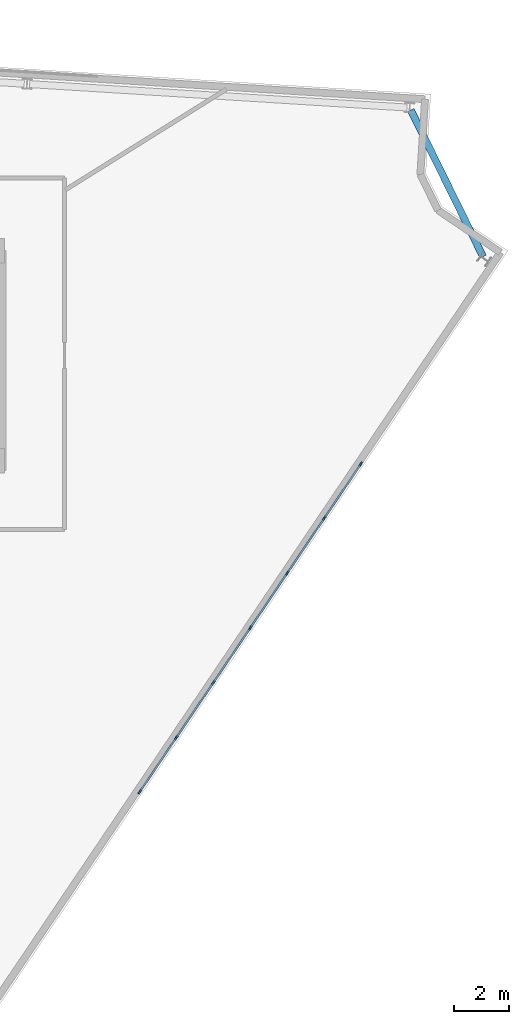
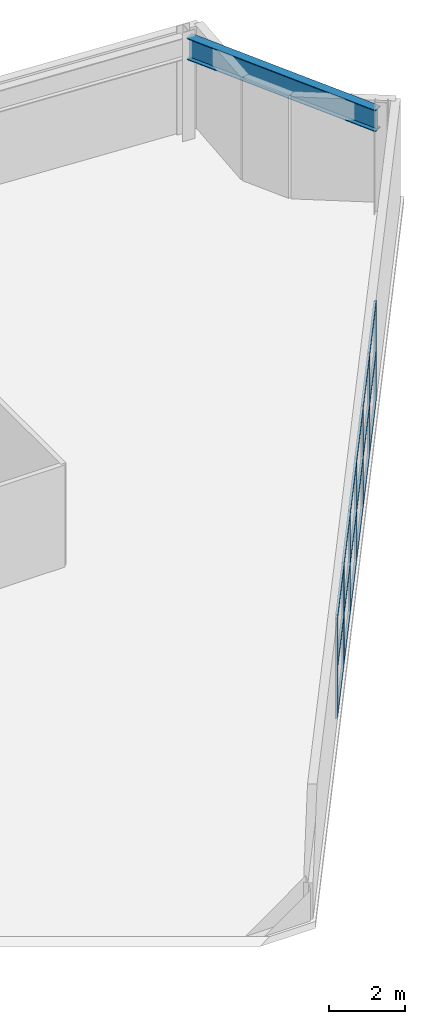
# One storey, part 4 of 8: 25 members, 1 beam, 1 element without a shape of its own.
"""IFC4 building model written with IfcOpenShell, lengths in metres."""

from ifc_helpers import new_model, si_unit, direction, frame, origin, origin_2d, place, context, subcontext, project, spatial, rectangle, i_section, extrude, material, layer, layer_set, material_profile, profile_set, type_object, element, aggregate, save


model = new_model("IFC4")

# Units and contexts
model_context = context("Model", 3, precision=1e-05, world=origin(), true_north=direction((0.0, 1.0)))
body_context = subcontext(model_context, "Body", "Model", "MODEL_VIEW")
ifc_project = project(units=[si_unit("LENGTHUNIT", "METRE"), si_unit("AREAUNIT", "SQUARE_METRE"), si_unit("VOLUMEUNIT", "CUBIC_METRE"), si_unit("PLANEANGLEUNIT", "RADIAN"), si_unit("MASSUNIT", "GRAM", prefix="KILO")], contexts=[model_context])

# Site, building, storey
site_placement = place(None, origin())
site = spatial("IfcSite", under=ifc_project, at=site_placement, CompositionType="ELEMENT")
building_placement = place(site_placement, origin())
building = spatial("IfcBuilding", under=site, at=building_placement, Name="Apsidion Concourse Tower", CompositionType="ELEMENT")
storey_placement = place(building_placement, frame((0.0, 0.0, 336.0)))
storey = spatial("IfcBuildingStorey", under=building, at=storey_placement, Name="L79", CompositionType="ELEMENT", Elevation=336.0)

# Beam
ifc_material_1 = material(Name="Structural steel ASTM A992 Grade 50", Category="steel")
ifc_material_profile_1 = material_profile(ifc_material_1, i_section(OverallWidth=0.256103515625, OverallDepth=0.693115234375, WebThickness=0.014404296875, FlangeThickness=0.023681640625, at=origin_2d()), Name="W27X114")
ifc_profile_set_1 = profile_set([ifc_material_profile_1], Name="Structural steel ASTM A992 Grade 50")
beam_type = type_object("IfcBeamType", Name="BM-SP-W27", PredefinedType="SPANDREL", material=ifc_profile_set_1)
beam_placement = place(storey_placement, frame((25.164794921875, 8.922119140625, 2.93359375), z_axis=(-0.441884134894, 0.897072132734, 0.0), x_axis=(-0.897072132734, -0.441884134894, 0.0)))
element("IfcBeam", 1, at=beam_placement, inside=storey, type_object=beam_type, Name="L79 Crown Perimeter Spandrel Beam CSP-02", PredefinedType="SPANDREL", context=body_context, shape_type="SweptSolid", body=[
    extrude(i_section(OverallWidth=0.256103515625, OverallDepth=0.693115234375, WebThickness=0.014404296875, FlangeThickness=0.023681640625, at=origin_2d()), origin(), (0.0, 0.0, 1.0), 5.982421875),
])

# Curtain wall, members
ifc_material_2 = material(Name="Insulated laminated low-E glass", Category="glass")
ifc_layer = layer(ifc_material_2, 0.239990234375)
ifc_layer_set = layer_set([ifc_layer], Name="Insulated laminated low-E glass")
curtain_wall_type = type_object("IfcCurtainWallType", Name="CW-SYS-06", PredefinedType="NOTDEFINED", material=ifc_layer_set)
curtain_wall_placement = place(storey_placement, origin())
curtain_wall = element("IfcCurtainWall", 2, at=curtain_wall_placement, inside=storey, type_object=curtain_wall_type, Name="L79 Slanted Crown Curtain Wall 8", PredefinedType="NOTDEFINED")
ifc_material_3 = material(Name="Anodised aluminium EN AW-6063 T6", Category="aluminium")
ifc_material_profile_2 = material_profile(ifc_material_3, rectangle(XDim=0.06494140625, YDim=0.179931640625, at=origin_2d()), Name="ALU MULLION 65x180")
ifc_profile_set_2 = profile_set([ifc_material_profile_2], Name="Anodised aluminium EN AW-6063 T6")
member_type_1 = type_object("IfcMemberType", Name="CWM-65X180", PredefinedType="MULLION", material=ifc_profile_set_2)
member_1_placement = place(storey_placement, frame((20.68896484375, 1.335693359375, 0.0), z_axis=(0.0, 0.0, 1.0), x_axis=(0.829038078637, -0.559192153172, 0.0)))
member_1 = element("IfcMember", 3, at=member_1_placement, type_object=member_type_1, Name="CW-06 mullion 1", PredefinedType="MULLION", context=body_context, shape_type="SweptSolid", body=[
    extrude(rectangle(XDim=0.06494140625, YDim=0.179931640625, at=origin_2d()), origin(), (0.0, 0.0, 1.0), 3.22998046875),
])
member_2_placement = place(storey_placement, frame((19.3525390625, -0.6455078125, 0.0), z_axis=(0.0, 0.0, 1.0), x_axis=(0.829038078637, -0.559192153172, 0.0)))
member_2 = element("IfcMember", 4, at=member_2_placement, type_object=member_type_1, Name="CW-06 mullion 2", PredefinedType="MULLION", context=body_context, shape_type="SweptSolid", body=[
    extrude(rectangle(XDim=0.06494140625, YDim=0.179931640625, at=origin_2d()), origin(), (0.0, 0.0, 1.0), 3.22998046875),
])
member_3_placement = place(storey_placement, frame((17.998046875, -2.653564453125, 0.0), z_axis=(0.0, 0.0, 1.0), x_axis=(0.829038078637, -0.559192153172, 0.0)))
member_3 = element("IfcMember", 5, at=member_3_placement, type_object=member_type_1, Name="CW-06 mullion 3", PredefinedType="MULLION", context=body_context, shape_type="SweptSolid", body=[
    extrude(rectangle(XDim=0.06494140625, YDim=0.179931640625, at=origin_2d()), origin(), (0.0, 0.0, 1.0), 3.22998046875),
])
member_4_placement = place(storey_placement, frame((16.643798828125, -4.66162109375, 0.0), z_axis=(0.0, 0.0, 1.0), x_axis=(0.829038078637, -0.559192153172, 0.0)))
member_4 = element("IfcMember", 6, at=member_4_placement, type_object=member_type_1, Name="CW-06 mullion 4", PredefinedType="MULLION", context=body_context, shape_type="SweptSolid", body=[
    extrude(rectangle(XDim=0.06494140625, YDim=0.179931640625, at=origin_2d()), origin(), (0.0, 0.0, 1.0), 3.22998046875),
])
member_5_placement = place(storey_placement, frame((15.289306640625, -6.669677734375, 0.0), z_axis=(0.0, 0.0, 1.0), x_axis=(0.829038078637, -0.559192153172, 0.0)))
member_5 = element("IfcMember", 7, at=member_5_placement, type_object=member_type_1, Name="CW-06 mullion 5", PredefinedType="MULLION", context=body_context, shape_type="SweptSolid", body=[
    extrude(rectangle(XDim=0.06494140625, YDim=0.179931640625, at=origin_2d()), origin(), (0.0, 0.0, 1.0), 3.22998046875),
])
member_6_placement = place(storey_placement, frame((13.934814453125, -8.677734375, 0.0), z_axis=(0.0, 0.0, 1.0), x_axis=(0.829038078637, -0.559192153172, 0.0)))
member_6 = element("IfcMember", 8, at=member_6_placement, type_object=member_type_1, Name="CW-06 mullion 6", PredefinedType="MULLION", context=body_context, shape_type="SweptSolid", body=[
    extrude(rectangle(XDim=0.06494140625, YDim=0.179931640625, at=origin_2d()), origin(), (0.0, 0.0, 1.0), 3.22998046875),
])
member_7_placement = place(storey_placement, frame((12.598388671875, -10.658935546875, 0.0), z_axis=(0.0, 0.0, 1.0), x_axis=(0.829038078637, -0.559192153172, 0.0)))
member_7 = element("IfcMember", 9, at=member_7_placement, type_object=member_type_1, Name="CW-06 mullion 7", PredefinedType="MULLION", context=body_context, shape_type="SweptSolid", body=[
    extrude(rectangle(XDim=0.06494140625, YDim=0.179931640625, at=origin_2d()), origin(), (0.0, 0.0, 1.0), 3.22998046875),
])
ifc_material_profile_3 = material_profile(ifc_material_3, rectangle(XDim=0.06494140625, YDim=0.139892578125, at=origin_2d()), Name="ALU TRANSOM 65x140")
ifc_profile_set_3 = profile_set([ifc_material_profile_3], Name="Anodised aluminium EN AW-6063 T6")
member_type_2 = type_object("IfcMemberType", Name="CWT-65X140", PredefinedType="USERDEFINED", material=ifc_profile_set_3)
member_8_placement = place(storey_placement, frame((20.670654296875, 1.30859375, 0.032470703125), z_axis=(-0.559151741242, -0.829065335342, 0.0), x_axis=(0.829065335342, -0.559151741242, 0.0)))
member_8 = element("IfcMember", 10, at=member_8_placement, type_object=member_type_2, Name="CW-06 transom 1.1", ObjectType="TRANSOM", PredefinedType="USERDEFINED", context=body_context, shape_type="SweptSolid", body=[
    extrude(rectangle(XDim=0.06494140625, YDim=0.139892578125, at=origin_2d()), origin(), (0.0, 0.0, 1.0), 2.32470703125),
])
member_9_placement = place(storey_placement, frame((20.670654296875, 1.30859375, 1.614990234375), z_axis=(-0.559151741242, -0.829065335342, 0.0), x_axis=(0.829065335342, -0.559151741242, 0.0)))
member_9 = element("IfcMember", 11, at=member_9_placement, type_object=member_type_2, Name="CW-06 transom 1.2", ObjectType="TRANSOM", PredefinedType="USERDEFINED", context=body_context, shape_type="SweptSolid", body=[
    extrude(rectangle(XDim=0.06494140625, YDim=0.139892578125, at=origin_2d()), origin(), (0.0, 0.0, 1.0), 2.32470703125),
])
member_10_placement = place(storey_placement, frame((20.670654296875, 1.30859375, 3.197509765625), z_axis=(-0.559151741242, -0.829065335342, 0.0), x_axis=(0.829065335342, -0.559151741242, 0.0)))
member_10 = element("IfcMember", 12, at=member_10_placement, type_object=member_type_2, Name="CW-06 transom 1.3", ObjectType="TRANSOM", PredefinedType="USERDEFINED", context=body_context, shape_type="SweptSolid", body=[
    extrude(rectangle(XDim=0.06494140625, YDim=0.139892578125, at=origin_2d()), origin(), (0.0, 0.0, 1.0), 2.32470703125),
])
member_11_placement = place(storey_placement, frame((19.33447265625, -0.67236328125, 0.032470703125), z_axis=(-0.559161534618, -0.82905873025, 0.0), x_axis=(0.82905873025, -0.559161534618, 0.0)))
member_11 = element("IfcMember", 13, at=member_11_placement, type_object=member_type_2, Name="CW-06 transom 2.1", ObjectType="TRANSOM", PredefinedType="USERDEFINED", context=body_context, shape_type="SweptSolid", body=[
    extrude(rectangle(XDim=0.06494140625, YDim=0.139892578125, at=origin_2d()), origin(), (0.0, 0.0, 1.0), 2.357421875),
])
member_12_placement = place(storey_placement, frame((19.33447265625, -0.67236328125, 1.614990234375), z_axis=(-0.559161534618, -0.82905873025, 0.0), x_axis=(0.82905873025, -0.559161534618, 0.0)))
member_12 = element("IfcMember", 14, at=member_12_placement, type_object=member_type_2, Name="CW-06 transom 2.2", ObjectType="TRANSOM", PredefinedType="USERDEFINED", context=body_context, shape_type="SweptSolid", body=[
    extrude(rectangle(XDim=0.06494140625, YDim=0.139892578125, at=origin_2d()), origin(), (0.0, 0.0, 1.0), 2.357421875),
])
member_13_placement = place(storey_placement, frame((19.33447265625, -0.67236328125, 3.197509765625), z_axis=(-0.559161534618, -0.82905873025, 0.0), x_axis=(0.82905873025, -0.559161534618, 0.0)))
member_13 = element("IfcMember", 15, at=member_13_placement, type_object=member_type_2, Name="CW-06 transom 2.3", ObjectType="TRANSOM", PredefinedType="USERDEFINED", context=body_context, shape_type="SweptSolid", body=[
    extrude(rectangle(XDim=0.06494140625, YDim=0.139892578125, at=origin_2d()), origin(), (0.0, 0.0, 1.0), 2.357421875),
])
member_14_placement = place(storey_placement, frame((17.97998046875, -2.680419921875, 0.032470703125), z_axis=(-0.559161534618, -0.82905873025, 0.0), x_axis=(0.82905873025, -0.559161534618, 0.0)))
member_14 = element("IfcMember", 16, at=member_14_placement, type_object=member_type_2, Name="CW-06 transom 3.1", ObjectType="TRANSOM", PredefinedType="USERDEFINED", context=body_context, shape_type="SweptSolid", body=[
    extrude(rectangle(XDim=0.06494140625, YDim=0.139892578125, at=origin_2d()), origin(), (0.0, 0.0, 1.0), 2.357421875),
])
member_15_placement = place(storey_placement, frame((17.97998046875, -2.680419921875, 1.614990234375), z_axis=(-0.559161534618, -0.82905873025, 0.0), x_axis=(0.82905873025, -0.559161534618, 0.0)))
member_15 = element("IfcMember", 17, at=member_15_placement, type_object=member_type_2, Name="CW-06 transom 3.2", ObjectType="TRANSOM", PredefinedType="USERDEFINED", context=body_context, shape_type="SweptSolid", body=[
    extrude(rectangle(XDim=0.06494140625, YDim=0.139892578125, at=origin_2d()), origin(), (0.0, 0.0, 1.0), 2.357421875),
])
member_16_placement = place(storey_placement, frame((17.97998046875, -2.680419921875, 3.197509765625), z_axis=(-0.559161534618, -0.82905873025, 0.0), x_axis=(0.82905873025, -0.559161534618, 0.0)))
member_16 = element("IfcMember", 18, at=member_16_placement, type_object=member_type_2, Name="CW-06 transom 3.3", ObjectType="TRANSOM", PredefinedType="USERDEFINED", context=body_context, shape_type="SweptSolid", body=[
    extrude(rectangle(XDim=0.06494140625, YDim=0.139892578125, at=origin_2d()), origin(), (0.0, 0.0, 1.0), 2.357421875),
])
member_17_placement = place(storey_placement, frame((16.62548828125, -4.6884765625, 0.032470703125), z_axis=(-0.559161534618, -0.82905873025, 0.0), x_axis=(0.82905873025, -0.559161534618, 0.0)))
member_17 = element("IfcMember", 19, at=member_17_placement, type_object=member_type_2, Name="CW-06 transom 4.1", ObjectType="TRANSOM", PredefinedType="USERDEFINED", context=body_context, shape_type="SweptSolid", body=[
    extrude(rectangle(XDim=0.06494140625, YDim=0.139892578125, at=origin_2d()), origin(), (0.0, 0.0, 1.0), 2.357421875),
])
member_18_placement = place(storey_placement, frame((16.62548828125, -4.6884765625, 1.614990234375), z_axis=(-0.559161534618, -0.82905873025, 0.0), x_axis=(0.82905873025, -0.559161534618, 0.0)))
member_18 = element("IfcMember", 20, at=member_18_placement, type_object=member_type_2, Name="CW-06 transom 4.2", ObjectType="TRANSOM", PredefinedType="USERDEFINED", context=body_context, shape_type="SweptSolid", body=[
    extrude(rectangle(XDim=0.06494140625, YDim=0.139892578125, at=origin_2d()), origin(), (0.0, 0.0, 1.0), 2.357421875),
])
member_19_placement = place(storey_placement, frame((16.62548828125, -4.6884765625, 3.197509765625), z_axis=(-0.559161534618, -0.82905873025, 0.0), x_axis=(0.82905873025, -0.559161534618, 0.0)))
member_19 = element("IfcMember", 21, at=member_19_placement, type_object=member_type_2, Name="CW-06 transom 4.3", ObjectType="TRANSOM", PredefinedType="USERDEFINED", context=body_context, shape_type="SweptSolid", body=[
    extrude(rectangle(XDim=0.06494140625, YDim=0.139892578125, at=origin_2d()), origin(), (0.0, 0.0, 1.0), 2.357421875),
])
member_20_placement = place(storey_placement, frame((15.27099609375, -6.69677734375, 0.032470703125), z_axis=(-0.559209549444, -0.829026344461, 0.0), x_axis=(0.829026344461, -0.559209549444, 0.0)))
member_20 = element("IfcMember", 22, at=member_20_placement, type_object=member_type_2, Name="CW-06 transom 5.1", ObjectType="TRANSOM", PredefinedType="USERDEFINED", context=body_context, shape_type="SweptSolid", body=[
    extrude(rectangle(XDim=0.06494140625, YDim=0.139892578125, at=origin_2d()), origin(), (0.0, 0.0, 1.0), 2.357177734375),
])
member_21_placement = place(storey_placement, frame((15.27099609375, -6.69677734375, 1.614990234375), z_axis=(-0.559209549444, -0.829026344461, 0.0), x_axis=(0.829026344461, -0.559209549444, 0.0)))
member_21 = element("IfcMember", 23, at=member_21_placement, type_object=member_type_2, Name="CW-06 transom 5.2", ObjectType="TRANSOM", PredefinedType="USERDEFINED", context=body_context, shape_type="SweptSolid", body=[
    extrude(rectangle(XDim=0.06494140625, YDim=0.139892578125, at=origin_2d()), origin(), (0.0, 0.0, 1.0), 2.357177734375),
])
member_22_placement = place(storey_placement, frame((15.27099609375, -6.69677734375, 3.197509765625), z_axis=(-0.559209549444, -0.829026344461, 0.0), x_axis=(0.829026344461, -0.559209549444, 0.0)))
member_22 = element("IfcMember", 24, at=member_22_placement, type_object=member_type_2, Name="CW-06 transom 5.3", ObjectType="TRANSOM", PredefinedType="USERDEFINED", context=body_context, shape_type="SweptSolid", body=[
    extrude(rectangle(XDim=0.06494140625, YDim=0.139892578125, at=origin_2d()), origin(), (0.0, 0.0, 1.0), 2.357177734375),
])
member_23_placement = place(storey_placement, frame((13.91650390625, -8.704833984375, 0.032470703125), z_axis=(-0.559151741242, -0.829065335342, 0.0), x_axis=(0.829065335342, -0.559151741242, 0.0)))
member_23 = element("IfcMember", 25, at=member_23_placement, type_object=member_type_2, Name="CW-06 transom 6.1", ObjectType="TRANSOM", PredefinedType="USERDEFINED", context=body_context, shape_type="SweptSolid", body=[
    extrude(rectangle(XDim=0.06494140625, YDim=0.139892578125, at=origin_2d()), origin(), (0.0, 0.0, 1.0), 2.32470703125),
])
member_24_placement = place(storey_placement, frame((13.91650390625, -8.704833984375, 1.614990234375), z_axis=(-0.559151741242, -0.829065335342, 0.0), x_axis=(0.829065335342, -0.559151741242, 0.0)))
member_24 = element("IfcMember", 26, at=member_24_placement, type_object=member_type_2, Name="CW-06 transom 6.2", ObjectType="TRANSOM", PredefinedType="USERDEFINED", context=body_context, shape_type="SweptSolid", body=[
    extrude(rectangle(XDim=0.06494140625, YDim=0.139892578125, at=origin_2d()), origin(), (0.0, 0.0, 1.0), 2.32470703125),
])
member_25_placement = place(storey_placement, frame((13.91650390625, -8.704833984375, 3.197509765625), z_axis=(-0.559151741242, -0.829065335342, 0.0), x_axis=(0.829065335342, -0.559151741242, 0.0)))
member_25 = element("IfcMember", 27, at=member_25_placement, type_object=member_type_2, Name="CW-06 transom 6.3", ObjectType="TRANSOM", PredefinedType="USERDEFINED", context=body_context, shape_type="SweptSolid", body=[
    extrude(rectangle(XDim=0.06494140625, YDim=0.139892578125, at=origin_2d()), origin(), (0.0, 0.0, 1.0), 2.32470703125),
])
aggregate(curtain_wall, [member_1, member_2, member_3, member_4, member_5, member_6, member_7, member_8, member_9, member_10, member_11, member_12, member_13, member_14, member_15, member_16, member_17, member_18, member_19, member_20, member_21, member_22, member_23, member_24, member_25])

save(model, "model.ifc")
